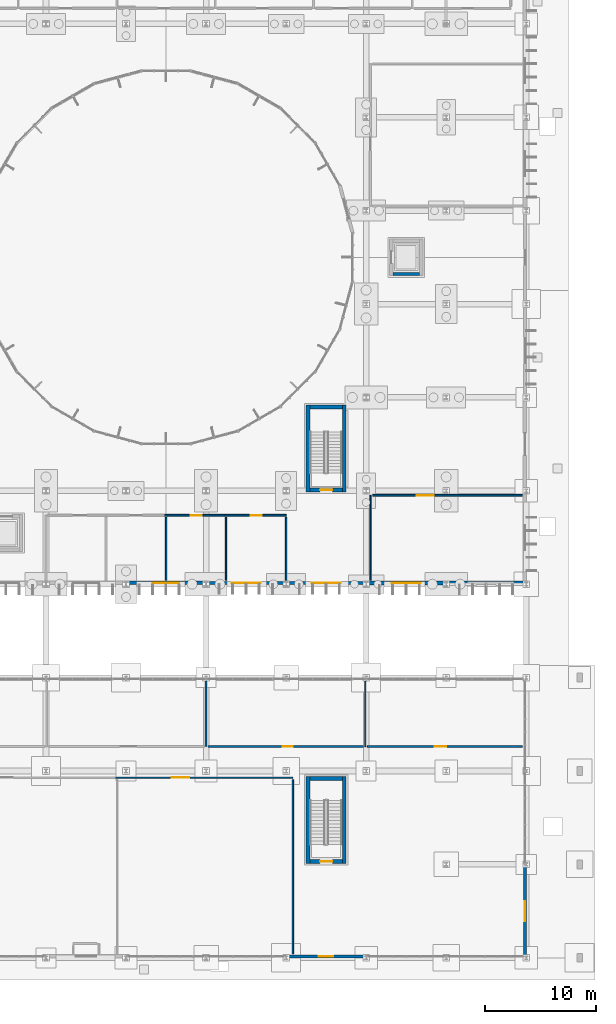
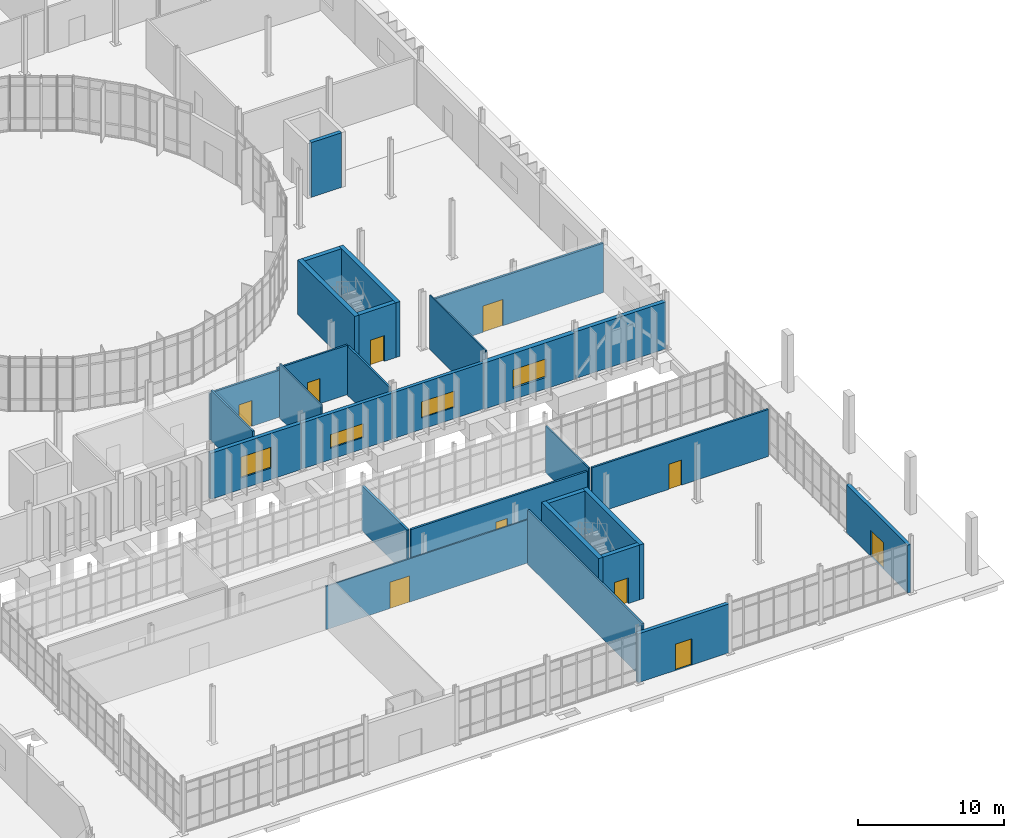
# One storey, part 98 of 118: 29 walls, 10 doors, 4 windows, 14 openings.
"""IFC4 building model written with IfcOpenShell, lengths in metres."""

from ifc_helpers import new_model, si_unit, direction, frame, frame_2d, origin, place, context, subcontext, project, spatial, rectangle, extrude, material, layer, layer_set, type_object, element, fill, save


model = new_model("IFC4")

# Units and contexts
model_context = context("Model", 3, precision=1e-05, world=origin(), true_north=direction((0.0, 1.0)))
body_context = subcontext(model_context, "Body", "Model", "MODEL_VIEW")
ifc_project = project(units=[si_unit("LENGTHUNIT", "METRE"), si_unit("AREAUNIT", "SQUARE_METRE"), si_unit("VOLUMEUNIT", "CUBIC_METRE"), si_unit("PLANEANGLEUNIT", "RADIAN"), si_unit("MASSUNIT", "GRAM", prefix="KILO")], contexts=[model_context])

# Site, building, storey
site_placement = place(None, origin())
site = spatial("IfcSite", under=ifc_project, at=site_placement, CompositionType="ELEMENT")
building_placement = place(site_placement, origin())
building = spatial("IfcBuilding", under=site, at=building_placement, Name="Qelthora Terrace Specialist Clinic", CompositionType="ELEMENT")
storey_placement = place(building_placement, origin())
storey = spatial("IfcBuildingStorey", under=building, at=storey_placement, Name="L00", CompositionType="ELEMENT", Elevation=0.0)

# Walls
ifc_material_1 = material(Name="Concrete C40/50", Category="concrete")
ifc_layer_1 = layer(ifc_material_1, 0.300048828125)
ifc_layer_set_1 = layer_set([ifc_layer_1], Name="Concrete C40/50")
wall_type_1 = type_object("IfcWallType", Name="WAL-CORE-300-C40", PredefinedType="SHEAR", material=ifc_layer_set_1)
wall_1_placement = place(storey_placement, frame((146.39990234375, 61.5, 0.0), z_axis=(0.0, 0.0, 1.0), x_axis=(1.0, 0.0, 0.0)))
element("IfcWall", 1, at=wall_1_placement, inside=storey, type_object=wall_type_1, Name="Lift PL-02 L00 south shaft wall", PredefinedType="SHEAR", context=body_context, shape_type="SweptSolid", body=[
    extrude(rectangle(XDim=2.400146484375, YDim=0.300048828125, at=frame_2d((1.2001953125, 0.0))), origin(), (0.0, 0.0, 1.0), 4.580078125),
])
ifc_layer_2 = layer(ifc_material_1, 0.35009765625)
ifc_layer_set_2 = layer_set([ifc_layer_2], Name="Concrete C40/50")
wall_type_2 = type_object("IfcWallType", Name="WAL-CORE-350-C40", PredefinedType="SHEAR", material=ifc_layer_set_2)
for number, where, z_axis, x_axis, name in (
    (2, (138.77490234375, 41.89990234375, 0.0), (0.0, 0.0, 1.0), (0.0, 1.0, 0.0), "ST-06 L00 west shear core wall"),
    (3, (142.02490234375, 41.89990234375, 0.0), (0.0, 0.0, 1.0), (0.0, 1.0, 0.0), "ST-06 L00 east shear core wall"),
):
    element("IfcWall", number, at=place(storey_placement, frame(where, z_axis=z_axis, x_axis=x_axis)), inside=storey, type_object=wall_type_2, Name=name, PredefinedType="SHEAR", context=body_context, shape_type="SweptSolid", body=[
        extrude(rectangle(XDim=7.800048828125, YDim=0.35009765625, at=frame_2d((3.89990234375, 0.0))), origin(), (0.0, 0.0, 1.0), 4.580078125),
    ])
wall_2_placement = place(storey_placement, frame((138.949951171875, 49.52490234375, 0.0), z_axis=(0.0, 0.0, 1.0), x_axis=(1.0, 0.0, 0.0)))
element("IfcWall", 4, at=wall_2_placement, inside=storey, type_object=wall_type_2, Name="ST-06 L00 north shear core wall", PredefinedType="SHEAR", context=body_context, shape_type="SweptSolid", body=[
    extrude(rectangle(XDim=2.900146484375, YDim=0.35009765625, at=frame_2d((1.4501953125, 0.0))), origin(), (0.0, 0.0, 1.0), 4.580078125),
])

# Wall, opening, door
wall_3_placement = place(storey_placement, frame((138.949951171875, 42.074951171875, 0.0), z_axis=(0.0, 0.0, 1.0), x_axis=(1.0, 0.0, 0.0)))
wall_3 = element("IfcWall", 5, at=wall_3_placement, inside=storey, type_object=wall_type_2, Name="ST-06 L00 south shear core wall", PredefinedType="SHEAR", context=body_context, shape_type="SweptSolid", body=[
    extrude(rectangle(XDim=2.900146484375, YDim=0.35009765625, at=frame_2d((1.4501953125, 0.0))), origin(), (0.0, 0.0, 1.0), 4.580078125),
])
opening_1_placement = place(wall_3_placement, frame((0.89990234375, 0.0, 0.0)))
opening_1 = element("IfcOpeningElement", 6, at=opening_1_placement, cuts=wall_3, Name="Opening D-ST-06-L00", PredefinedType="OPENING", context=body_context, shape_type="SweptSolid", body=[
    extrude(rectangle(XDim=1.10009765625, YDim=2.14990234375, at=frame_2d((0.550048828125, 1.074951171875))), frame((0.0, 0.18505859375, 0.0), z_axis=(0.0, -1.0, 0.0), x_axis=(1.0, 0.0, 0.0)), (0.0, 0.0, 1.0), 0.3701171875),
])
ifc_material_2 = material(Name="Steel S355", Category="steel")
door_type_1 = type_object("IfcDoorType", Name="DOR-STAIR-1100X2150", OperationType="NOTDEFINED", PredefinedType="DOOR", material=ifc_material_2)
door_1_placement = place(opening_1_placement, frame((1.10009765625, 0.0, 0.0), z_axis=(0.0, 0.0, 1.0), x_axis=(-1.0, 0.0, 0.0)))
door_1 = element("IfcDoor", 7, at=door_1_placement, inside=storey, type_object=door_type_1, Name="Stair fire door D-ST-06-L00", OperationType="SINGLE_SWING_LEFT", OverallHeight=2.14990234375, OverallWidth=1.10009765625, PredefinedType="DOOR", context=body_context, shape_type="SweptSolid", body=[
    extrude(rectangle(XDim=1.10009765625, YDim=2.14990234375, at=frame_2d((0.550048828125, 1.074951171875))), frame((0.0, 0.02490234375, 0.0), z_axis=(0.0, -1.0, 0.0), x_axis=(1.0, 0.0, 0.0)), (0.0, 0.0, 1.0), 0.050048828125),
])
fill(opening_1, door_1)

# Walls
for number, where, z_axis, x_axis, name in (
    (8, (138.77490234375, 8.5, 0.0), (0.0, 0.0, 1.0), (0.0, 1.0, 0.0), "ST-08 L00 west shear core wall"),
    (9, (142.02490234375, 8.5, 0.0), (0.0, 0.0, 1.0), (0.0, 1.0, 0.0), "ST-08 L00 east shear core wall"),
):
    element("IfcWall", number, at=place(storey_placement, frame(where, z_axis=z_axis, x_axis=x_axis)), inside=storey, type_object=wall_type_2, Name=name, PredefinedType="SHEAR", context=body_context, shape_type="SweptSolid", body=[
        extrude(rectangle(XDim=7.800048828125, YDim=0.35009765625, at=frame_2d((3.89990234375, 0.0))), origin(), (0.0, 0.0, 1.0), 4.580078125),
    ])
wall_4_placement = place(storey_placement, frame((138.949951171875, 16.125, 0.0), z_axis=(0.0, 0.0, 1.0), x_axis=(1.0, 0.0, 0.0)))
element("IfcWall", 10, at=wall_4_placement, inside=storey, type_object=wall_type_2, Name="ST-08 L00 north shear core wall", PredefinedType="SHEAR", context=body_context, shape_type="SweptSolid", body=[
    extrude(rectangle(XDim=2.900146484375, YDim=0.35009765625, at=frame_2d((1.4501953125, 0.0))), origin(), (0.0, 0.0, 1.0), 4.580078125),
])

# Wall, opening, door
wall_5_placement = place(storey_placement, frame((138.949951171875, 8.675048828125, 0.0), z_axis=(0.0, 0.0, 1.0), x_axis=(1.0, 0.0, 0.0)))
wall_5 = element("IfcWall", 11, at=wall_5_placement, inside=storey, type_object=wall_type_2, Name="ST-08 L00 south shear core wall", PredefinedType="SHEAR", context=body_context, shape_type="SweptSolid", body=[
    extrude(rectangle(XDim=2.900146484375, YDim=0.35009765625, at=frame_2d((1.4501953125, 0.0))), origin(), (0.0, 0.0, 1.0), 4.580078125),
])
opening_2_placement = place(wall_5_placement, frame((0.89990234375, 0.0, 0.0)))
opening_2 = element("IfcOpeningElement", 12, at=opening_2_placement, cuts=wall_5, Name="Opening D-ST-08-L00", PredefinedType="OPENING", context=body_context, shape_type="SweptSolid", body=[
    extrude(rectangle(XDim=1.10009765625, YDim=2.14990234375, at=frame_2d((0.550048828125, 1.074951171875))), frame((0.0, 0.18505859375, 0.0), z_axis=(0.0, -1.0, 0.0), x_axis=(1.0, 0.0, 0.0)), (0.0, 0.0, 1.0), 0.3701171875),
])
door_2_placement = place(opening_2_placement, frame((1.10009765625, 0.0, 0.0), z_axis=(0.0, 0.0, 1.0), x_axis=(-1.0, 0.0, 0.0)))
door_2 = element("IfcDoor", 13, at=door_2_placement, inside=storey, type_object=door_type_1, Name="Stair fire door D-ST-08-L00", OperationType="SINGLE_SWING_RIGHT", OverallHeight=2.14990234375, OverallWidth=1.10009765625, PredefinedType="DOOR", context=body_context, shape_type="SweptSolid", body=[
    extrude(rectangle(XDim=1.10009765625, YDim=2.14990234375, at=frame_2d((0.550048828125, 1.074951171875))), frame((0.0, 0.02490234375, 0.0), z_axis=(0.0, -1.0, 0.0), x_axis=(1.0, 0.0, 0.0)), (0.0, 0.0, 1.0), 0.050048828125),
])
fill(opening_2, door_2)

# Wall, opening, window
ifc_material_3 = material(Name="Precast concrete C40/50", Category="concrete")
ifc_layer_3 = layer(ifc_material_3, 0.260009765625)
ifc_layer_set_3 = layer_set([ifc_layer_3], Name="Precast concrete C40/50")
wall_type_3 = type_object("IfcWallType", Name="WAL-EXT-260-PC40", PredefinedType="SOLIDWALL", material=ifc_layer_set_3)
wall_6_placement = place(storey_placement, frame((136.800048828125, 33.719970703125, 0.0), z_axis=(0.0, 0.0, 1.0), x_axis=(1.0, 0.0, 0.0)))
wall_6 = element("IfcWall", 14, at=wall_6_placement, inside=storey, type_object=wall_type_3, Name="L00 external precast wall 54", PredefinedType="SOLIDWALL", context=body_context, shape_type="SweptSolid", body=[
    extrude(rectangle(XDim=7.199951171875, YDim=0.260009765625, at=frame_2d((3.60009765625, 0.0))), origin(), (0.0, 0.0, 1.0), 3.84912109375),
])
opening_3_placement = place(wall_6_placement, frame((2.300048828125, 0.0, 0.949951171875)))
opening_3 = element("IfcOpeningElement", 15, at=opening_3_placement, cuts=wall_6, Name="Opening WN-L00-042", PredefinedType="OPENING", context=body_context, shape_type="SweptSolid", body=[
    extrude(rectangle(XDim=2.60009765625, YDim=1.35009765625, at=frame_2d((1.300048828125, 0.675048828125))), frame((0.0, 0.139892578125, 0.0), z_axis=(0.0, -1.0, 0.0), x_axis=(1.0, 0.0, 0.0)), (0.0, 0.0, 1.0), 0.280029296875),
])
ifc_material_4 = material(Name="Low-E triple-silver insulating glass", Category="glass")
window_type_1 = type_object("IfcWindowType", Name="WIN-2600X1350", PartitioningType="DOUBLE_PANEL_VERTICAL", PredefinedType="WINDOW", material=ifc_material_4)
window_1_placement = place(opening_3_placement, origin())
window_1 = element("IfcWindow", 16, at=window_1_placement, inside=storey, type_object=window_type_1, Name="Clinical window WN-L00-042", OverallHeight=1.35009765625, OverallWidth=2.60009765625, PartitioningType="SINGLE_PANEL", PredefinedType="WINDOW", context=body_context, shape_type="SweptSolid", body=[
    extrude(rectangle(XDim=2.60009765625, YDim=1.35009765625, at=frame_2d((1.300048828125, 0.675048828125))), frame((0.0, 0.030029296875, 0.0), z_axis=(0.0, -1.0, 0.0), x_axis=(1.0, 0.0, 0.0)), (0.0, 0.0, 1.0), 0.06005859375),
])
fill(opening_3, window_1)

ifc_layer_4 = layer(ifc_material_3, 0.280029296875)
ifc_layer_set_4 = layer_set([ifc_layer_4], Name="Precast concrete C40/50")
wall_type_4 = type_object("IfcWallType", Name="WAL-EXT-280-PC40", PredefinedType="SOLIDWALL", material=ifc_layer_set_4)
wall_7_placement = place(storey_placement, frame((129.60009765625, 33.719970703125, 0.0), z_axis=(0.0, 0.0, 1.0), x_axis=(1.0, 0.0, 0.0)))
wall_7 = element("IfcWall", 17, at=wall_7_placement, inside=storey, type_object=wall_type_4, Name="L00 external precast wall 53", PredefinedType="SOLIDWALL", context=body_context, shape_type="SweptSolid", body=[
    extrude(rectangle(XDim=7.199951171875, YDim=0.280029296875, at=frame_2d((3.60009765625, 0.0))), origin(), (0.0, 0.0, 1.0), 3.84912109375),
])
opening_4_placement = place(wall_7_placement, frame((2.300048828125, 0.0, 0.949951171875)))
opening_4 = element("IfcOpeningElement", 18, at=opening_4_placement, cuts=wall_7, Name="Opening WN-L00-041", PredefinedType="OPENING", context=body_context, shape_type="SweptSolid", body=[
    extrude(rectangle(XDim=2.60009765625, YDim=1.14990234375, at=frame_2d((1.300048828125, 0.574951171875))), frame((0.0, 0.14990234375, 0.0), z_axis=(0.0, -1.0, 0.0), x_axis=(1.0, 0.0, 0.0)), (0.0, 0.0, 1.0), 0.300048828125),
])
window_type_2 = type_object("IfcWindowType", Name="WIN-2600X1150", PartitioningType="DOUBLE_PANEL_VERTICAL", PredefinedType="WINDOW", material=ifc_material_4)
window_2_placement = place(opening_4_placement, origin())
window_2 = element("IfcWindow", 19, at=window_2_placement, inside=storey, type_object=window_type_2, Name="Clinical window WN-L00-041", OverallHeight=1.14990234375, OverallWidth=2.60009765625, PartitioningType="SINGLE_PANEL", PredefinedType="WINDOW", context=body_context, shape_type="SweptSolid", body=[
    extrude(rectangle(XDim=2.60009765625, YDim=1.14990234375, at=frame_2d((1.300048828125, 0.574951171875))), frame((0.0, 0.030029296875, 0.0), z_axis=(0.0, -1.0, 0.0), x_axis=(1.0, 0.0, 0.0)), (0.0, 0.0, 1.0), 0.06005859375),
])
fill(opening_4, window_2)

# Wall, opening, door
wall_8_placement = place(storey_placement, frame((158.280029296875, 0.0, 0.0), z_axis=(0.0, 0.0, 1.0), x_axis=(0.0, 1.0, 0.0)))
wall_8 = element("IfcWall", 20, at=wall_8_placement, inside=storey, type_object=wall_type_4, Name="L00 external precast wall 63", PredefinedType="SOLIDWALL", context=body_context, shape_type="SweptSolid", body=[
    extrude(rectangle(XDim=8.39990234375, YDim=0.280029296875, at=frame_2d((4.199951171875, 0.0))), origin(), (0.0, 0.0, 1.0), 4.0048828125),
])
opening_5_placement = place(wall_8_placement, frame((3.300048828125, 0.0, 0.0)))
opening_5 = element("IfcOpeningElement", 21, at=opening_5_placement, cuts=wall_8, Name="Opening DE-COL-01", PredefinedType="OPENING", context=body_context, shape_type="SweptSolid", body=[
    extrude(rectangle(XDim=1.800048828125, YDim=2.199951171875, at=frame_2d((0.89990234375, 1.10009765625))), frame((0.0, 0.14990234375, 0.0), z_axis=(0.0, -1.0, 0.0), x_axis=(1.0, 0.0, 0.0)), (0.0, 0.0, 1.0), 0.300048828125),
])
door_type_2 = type_object("IfcDoorType", Name="DOR-EXT-1800X2200", OperationType="NOTDEFINED", PredefinedType="DOOR", material=ifc_material_2)
door_3_placement = place(opening_5_placement, frame((1.800048828125, 0.0, 0.0), z_axis=(0.0, 0.0, 1.0), x_axis=(-1.0, 0.0, 0.0)))
door_3 = element("IfcDoor", 22, at=door_3_placement, inside=storey, type_object=door_type_2, Name="Exterior entrance/exit door DE-COL-01", OperationType="DOUBLE_DOOR_SINGLE_SWING", OverallHeight=2.199951171875, OverallWidth=1.800048828125, PredefinedType="DOOR", context=body_context, shape_type="SweptSolid", body=[
    extrude(rectangle(XDim=1.800048828125, YDim=2.199951171875, at=frame_2d((0.89990234375, 1.10009765625))), frame((0.0, 0.02490234375, 0.0), z_axis=(0.0, -1.0, 0.0), x_axis=(1.0, 0.0, 0.0)), (0.0, 0.0, 1.0), 0.050048828125),
])
fill(opening_5, door_3)

# Wall, opening, window
ifc_layer_5 = layer(ifc_material_3, 0.300048828125)
ifc_layer_set_5 = layer_set([ifc_layer_5], Name="Precast concrete C40/50")
wall_type_5 = type_object("IfcWallType", Name="WAL-EXT-300-PC40", PredefinedType="SOLIDWALL", material=ifc_layer_set_5)
wall_9_placement = place(storey_placement, frame((122.39990234375, 33.719970703125, 0.0), z_axis=(0.0, 0.0, 1.0), x_axis=(1.0, 0.0, 0.0)))
wall_9 = element("IfcWall", 23, at=wall_9_placement, inside=storey, type_object=wall_type_5, Name="L00 external precast wall 52", PredefinedType="SOLIDWALL", context=body_context, shape_type="SweptSolid", body=[
    extrude(rectangle(XDim=7.2001953125, YDim=0.300048828125, at=frame_2d((3.60009765625, 0.0))), origin(), (0.0, 0.0, 1.0), 3.84912109375),
])
opening_6_placement = place(wall_9_placement, frame((2.39990234375, 0.0, 0.949951171875)))
opening_6 = element("IfcOpeningElement", 24, at=opening_6_placement, cuts=wall_9, Name="Opening WN-L00-040", PredefinedType="OPENING", context=body_context, shape_type="SweptSolid", body=[
    extrude(rectangle(XDim=2.39990234375, YDim=1.75, at=frame_2d((1.199951171875, 0.875))), frame((0.0, 0.159912109375, 0.0), z_axis=(0.0, -1.0, 0.0), x_axis=(1.0, 0.0, 0.0)), (0.0, 0.0, 1.0), 0.320068359375),
])
window_type_3 = type_object("IfcWindowType", Name="WIN-2400X1750", PartitioningType="DOUBLE_PANEL_VERTICAL", PredefinedType="WINDOW", material=ifc_material_4)
window_3_placement = place(opening_6_placement, origin())
window_3 = element("IfcWindow", 25, at=window_3_placement, inside=storey, type_object=window_type_3, Name="Clinical window WN-L00-040", OverallHeight=1.75, OverallWidth=2.39990234375, PartitioningType="SINGLE_PANEL", PredefinedType="WINDOW", context=body_context, shape_type="SweptSolid", body=[
    extrude(rectangle(XDim=2.39990234375, YDim=1.75, at=frame_2d((1.199951171875, 0.875))), frame((0.0, 0.030029296875, 0.0), z_axis=(0.0, -1.0, 0.0), x_axis=(1.0, 0.0, 0.0)), (0.0, 0.0, 1.0), 0.06005859375),
])
fill(opening_6, window_3)

# Wall, opening, door
wall_10_placement = place(storey_placement, frame((136.800048828125, 0.1201171875, 0.0), z_axis=(0.0, 0.0, 1.0), x_axis=(1.0, 0.0, 0.0)))
wall_10 = element("IfcWall", 26, at=wall_10_placement, inside=storey, type_object=wall_type_5, Name="L00 external precast wall 62", PredefinedType="SOLIDWALL", context=body_context, shape_type="SweptSolid", body=[
    extrude(rectangle(XDim=7.199951171875, YDim=0.300048828125, at=frame_2d((3.60009765625, 0.0))), origin(), (0.0, 0.0, 1.0), 4.08203125),
])
opening_7_placement = place(wall_10_placement, frame((2.949951171875, 0.0, 0.0)))
opening_7 = element("IfcOpeningElement", 27, at=opening_7_placement, cuts=wall_10, Name="Opening DE-ST08-EXIT", PredefinedType="OPENING", context=body_context, shape_type="SweptSolid", body=[
    extrude(rectangle(XDim=1.300048828125, YDim=2.199951171875, at=frame_2d((0.64990234375, 1.10009765625))), frame((0.0, 0.159912109375, 0.0), z_axis=(0.0, -1.0, 0.0), x_axis=(1.0, 0.0, 0.0)), (0.0, 0.0, 1.0), 0.320068359375),
])
door_type_3 = type_object("IfcDoorType", Name="DOR-EXT-1300X2200", OperationType="NOTDEFINED", PredefinedType="DOOR", material=ifc_material_2)
door_4_placement = place(opening_7_placement, frame((1.300048828125, 0.0, 0.0), z_axis=(0.0, 0.0, 1.0), x_axis=(-1.0, 0.0, 0.0)))
door_4 = element("IfcDoor", 28, at=door_4_placement, inside=storey, type_object=door_type_3, Name="Exterior entrance/exit door DE-ST08-EXIT", OperationType="SINGLE_SWING_LEFT", OverallHeight=2.199951171875, OverallWidth=1.300048828125, PredefinedType="DOOR", context=body_context, shape_type="SweptSolid", body=[
    extrude(rectangle(XDim=1.300048828125, YDim=2.199951171875, at=frame_2d((0.64990234375, 1.10009765625))), frame((0.0, 0.02490234375, 0.0), z_axis=(0.0, -1.0, 0.0), x_axis=(1.0, 0.0, 0.0)), (0.0, 0.0, 1.0), 0.050048828125),
])
fill(opening_7, door_4)

# Wall
ifc_layer_6 = layer(ifc_material_3, 0.320068359375)
ifc_layer_set_6 = layer_set([ifc_layer_6], Name="Precast concrete C40/50")
wall_type_6 = type_object("IfcWallType", Name="WAL-EXT-320-PC40", PredefinedType="SOLIDWALL", material=ifc_layer_set_6)
wall_11_placement = place(storey_placement, frame((151.199951171875, 33.719970703125, 0.0), z_axis=(0.0, 0.0, 1.0), x_axis=(1.0, 0.0, 0.0)))
element("IfcWall", 29, at=wall_11_placement, inside=storey, type_object=wall_type_6, Name="L00 external precast wall 56", PredefinedType="SOLIDWALL", context=body_context, shape_type="SweptSolid", body=[
    extrude(rectangle(XDim=7.199951171875, YDim=0.320068359375, at=frame_2d((3.60009765625, 0.0))), origin(), (0.0, 0.0, 1.0), 3.925048828125),
])

# Wall, opening, window
ifc_layer_7 = layer(ifc_material_3, 0.3798828125)
ifc_layer_set_7 = layer_set([ifc_layer_7], Name="Precast concrete C40/50")
wall_type_7 = type_object("IfcWallType", Name="WAL-EXT-380-PC40", PredefinedType="SOLIDWALL", material=ifc_layer_set_7)
wall_12_placement = place(storey_placement, frame((144.0, 33.719970703125, 0.0), z_axis=(0.0, 0.0, 1.0), x_axis=(1.0, 0.0, 0.0)))
wall_12 = element("IfcWall", 30, at=wall_12_placement, inside=storey, type_object=wall_type_7, Name="L00 external precast wall 55", PredefinedType="SOLIDWALL", context=body_context, shape_type="SweptSolid", body=[
    extrude(rectangle(XDim=7.199951171875, YDim=0.3798828125, at=frame_2d((3.60009765625, 0.0))), origin(), (0.0, 0.0, 1.0), 3.85400390625),
])
opening_8_placement = place(wall_12_placement, frame((2.300048828125, 0.0, 0.949951171875)))
opening_8 = element("IfcOpeningElement", 31, at=opening_8_placement, cuts=wall_12, Name="Opening WN-L00-043", PredefinedType="OPENING", context=body_context, shape_type="SweptSolid", body=[
    extrude(rectangle(XDim=2.60009765625, YDim=1.550048828125, at=frame_2d((1.300048828125, 0.77490234375))), frame((0.0, 0.199951171875, 0.0), z_axis=(0.0, -1.0, 0.0), x_axis=(1.0, 0.0, 0.0)), (0.0, 0.0, 1.0), 0.39990234375),
])
window_type_4 = type_object("IfcWindowType", Name="WIN-2600X1550", PartitioningType="DOUBLE_PANEL_VERTICAL", PredefinedType="WINDOW", material=ifc_material_4)
window_4_placement = place(opening_8_placement, origin())
window_4 = element("IfcWindow", 32, at=window_4_placement, inside=storey, type_object=window_type_4, Name="Clinical window WN-L00-043", OverallHeight=1.550048828125, OverallWidth=2.60009765625, PartitioningType="SINGLE_PANEL", PredefinedType="WINDOW", context=body_context, shape_type="SweptSolid", body=[
    extrude(rectangle(XDim=2.60009765625, YDim=1.550048828125, at=frame_2d((1.300048828125, 0.77490234375))), frame((0.0, 0.030029296875, 0.0), z_axis=(0.0, -1.0, 0.0), x_axis=(1.0, 0.0, 0.0)), (0.0, 0.0, 1.0), 0.06005859375),
])
fill(opening_8, window_4)

# Walls
ifc_material_5 = material(Name="Gypsum acoustic wallboard", Category="gypsum")
ifc_layer_8 = layer(ifc_material_5, 0.139892578125)
ifc_layer_set_8 = layer_set([ifc_layer_8], Name="Gypsum acoustic wallboard")
wall_type_8 = type_object("IfcWallType", Name="WAL-INT-ACU-140", PredefinedType="PARTITIONING", material=ifc_layer_set_8)
wall_13_placement = place(storey_placement, frame((137.39990234375, 16.02001953125, 0.0), z_axis=(0.0, 0.0, 1.0), x_axis=(0.0, -1.0, 0.0)))
element("IfcWall", 33, at=wall_13_placement, inside=storey, type_object=wall_type_8, Name="Interior clinical partition IWAL-L00-0075", PredefinedType="PARTITIONING", context=body_context, shape_type="SweptSolid", body=[
    extrude(rectangle(XDim=15.679931640625, YDim=0.139892578125, at=frame_2d((7.83984375, 0.0))), origin(), (0.0, 0.0, 1.0), 4.544921875),
])
wall_14_placement = place(storey_placement, frame((126.0, 39.6201171875, 0.0), z_axis=(0.0, 0.0, 1.0), x_axis=(0.0, -1.0, 0.0)))
element("IfcWall", 34, at=wall_14_placement, inside=storey, type_object=wall_type_8, Name="Interior clinical partition IWAL-L00-0089", PredefinedType="PARTITIONING", context=body_context, shape_type="SweptSolid", body=[
    extrude(rectangle(XDim=5.68017578125, YDim=0.139892578125, at=frame_2d((2.840087890625, 0.0))), origin(), (0.0, 0.0, 1.0), 4.23193359375),
])
ifc_material_6 = material(Name="Gypsum fire-rated wallboard", Category="gypsum")
ifc_layer_9 = layer(ifc_material_6, 0.179931640625)
ifc_layer_set_9 = layer_set([ifc_layer_9], Name="Gypsum fire-rated wallboard")
wall_type_9 = type_object("IfcWallType", Name="WAL-INT-CLN-180", PredefinedType="PARTITIONING", material=ifc_layer_set_9)
wall_15_placement = place(storey_placement, frame((129.60009765625, 25.18994140625, 0.0), z_axis=(0.0, 0.0, 1.0), x_axis=(0.0, -1.0, 0.0)))
element("IfcWall", 35, at=wall_15_placement, inside=storey, type_object=wall_type_9, Name="Interior clinical partition IWAL-L00-0078", PredefinedType="PARTITIONING", context=body_context, shape_type="SweptSolid", body=[
    extrude(rectangle(XDim=6.18994140625, YDim=0.179931640625, at=frame_2d((3.094970703125, 0.0))), origin(), (0.0, 0.0, 1.0), 3.77490234375),
])

# Wall, opening, door
ifc_layer_10 = layer(ifc_material_6, 0.159912109375)
ifc_layer_set_10 = layer_set([ifc_layer_10], Name="Gypsum fire-rated wallboard")
wall_type_10 = type_object("IfcWallType", Name="WAL-INT-COR-160", PredefinedType="PARTITIONING", material=ifc_layer_set_10)
wall_16_placement = place(storey_placement, frame((143.7451171875, 19.0, 0.0), z_axis=(0.0, 0.0, 1.0), x_axis=(-1.0, 0.0, 0.0)))
wall_16 = element("IfcWall", 36, at=wall_16_placement, inside=storey, type_object=wall_type_10, Name="Interior clinical partition IWAL-L00-0081", PredefinedType="PARTITIONING", context=body_context, shape_type="SweptSolid", body=[
    extrude(rectangle(XDim=13.965087890625, YDim=0.159912109375, at=frame_2d((6.982421875, 0.0))), origin(), (0.0, 0.0, 1.0), 3.77490234375),
])
opening_9_placement = place(wall_16_placement, frame((6.33251953125, 0.0, 0.0)))
opening_9 = element("IfcOpeningElement", 37, at=opening_9_placement, cuts=wall_16, Name="Opening DI-L00-0031", PredefinedType="OPENING", context=body_context, shape_type="SweptSolid", body=[
    extrude(rectangle(XDim=0.89990234375, YDim=2.0400390625, at=frame_2d((0.449951171875, 1.02001953125))), frame((0.0, 0.08984375, 0.0), z_axis=(0.0, -1.0, 0.0), x_axis=(1.0, 0.0, 0.0)), (0.0, 0.0, 1.0), 0.179931640625),
])
ifc_material_7 = material(Name="Glulam timber GL28h", Category="wood")
door_type_4 = type_object("IfcDoorType", Name="DOR-ENS-900X2040", OperationType="NOTDEFINED", PredefinedType="DOOR", material=ifc_material_7)
door_5_placement = place(opening_9_placement, frame((0.89990234375, 0.0, 0.0), z_axis=(0.0, 0.0, 1.0), x_axis=(-1.0, 0.0, 0.0)))
door_5 = element("IfcDoor", 38, at=door_5_placement, inside=storey, type_object=door_type_4, Name="Interior clinical door DI-L00-0031", OperationType="SINGLE_SWING_RIGHT", OverallHeight=2.0400390625, OverallWidth=0.89990234375, PredefinedType="DOOR", context=body_context, shape_type="SweptSolid", body=[
    extrude(rectangle(XDim=0.89990234375, YDim=2.0400390625, at=frame_2d((0.449951171875, 1.02001953125))), frame((0.0, 0.02490234375, 0.0), z_axis=(0.0, -1.0, 0.0), x_axis=(1.0, 0.0, 0.0)), (0.0, 0.0, 1.0), 0.050048828125),
])
fill(opening_9, door_5)

wall_17_placement = place(storey_placement, frame((144.580078125, 41.60009765625, 0.0), z_axis=(0.0, 0.0, 1.0), x_axis=(1.0, 0.0, 0.0)))
wall_17 = element("IfcWall", 39, at=wall_17_placement, inside=storey, type_object=wall_type_10, Name="Interior clinical partition IWAL-L00-0084", PredefinedType="PARTITIONING", context=body_context, shape_type="SweptSolid", body=[
    extrude(rectangle(XDim=13.47998046875, YDim=0.159912109375, at=frame_2d((6.739990234375, 0.0))), origin(), (0.0, 0.0, 1.0), 4.132080078125),
])
opening_10_placement = place(wall_17_placement, frame((3.965087890625, 0.0, 0.0)))
opening_10 = element("IfcOpeningElement", 40, at=opening_10_placement, cuts=wall_17, Name="Opening DI-L00-0033", PredefinedType="OPENING", context=body_context, shape_type="SweptSolid", body=[
    extrude(rectangle(XDim=1.550048828125, YDim=2.199951171875, at=frame_2d((0.77490234375, 1.10009765625))), frame((0.0, 0.08984375, 0.0), z_axis=(0.0, -1.0, 0.0), x_axis=(1.0, 0.0, 0.0)), (0.0, 0.0, 1.0), 0.179931640625),
])
ifc_material_8 = material(Name="Aluminium anodized bronze", Category="aluminium")
door_type_5 = type_object("IfcDoorType", Name="DOR-LIB-1550X2200", OperationType="NOTDEFINED", PredefinedType="DOOR", material=ifc_material_8)
door_6_placement = place(opening_10_placement, frame((1.550048828125, 0.0, 0.0), z_axis=(0.0, 0.0, 1.0), x_axis=(-1.0, 0.0, 0.0)))
door_6 = element("IfcDoor", 41, at=door_6_placement, inside=storey, type_object=door_type_5, Name="Interior clinical door DI-L00-0033", OperationType="DOUBLE_DOOR_SINGLE_SWING", OverallHeight=2.199951171875, OverallWidth=1.550048828125, PredefinedType="DOOR", context=body_context, shape_type="SweptSolid", body=[
    extrude(rectangle(XDim=1.550048828125, YDim=2.199951171875, at=frame_2d((0.77490234375, 1.10009765625))), frame((0.0, 0.02490234375, 0.0), z_axis=(0.0, -1.0, 0.0), x_axis=(1.0, 0.0, 0.0)), (0.0, 0.0, 1.0), 0.050048828125),
])
fill(opening_10, door_6)

wall_18_placement = place(storey_placement, frame((125.864990234375, 39.800048828125, 0.0), z_axis=(0.0, 0.0, 1.0), x_axis=(1.0, 0.0, 0.0)))
wall_18 = element("IfcWall", 42, at=wall_18_placement, inside=storey, type_object=wall_type_10, Name="Interior clinical partition IWAL-L00-0090", PredefinedType="PARTITIONING", context=body_context, shape_type="SweptSolid", body=[
    extrude(rectangle(XDim=5.534912109375, YDim=0.159912109375, at=frame_2d((2.767578125, 0.0))), origin(), (0.0, 0.0, 1.0), 3.927978515625),
])
opening_11_placement = place(wall_18_placement, frame((2.33740234375, 0.0, 0.0)))
opening_11 = element("IfcOpeningElement", 43, at=opening_11_placement, cuts=wall_18, Name="Opening DI-L00-0036", PredefinedType="OPENING", context=body_context, shape_type="SweptSolid", body=[
    extrude(rectangle(XDim=1.0, YDim=2.14990234375, at=frame_2d((0.5, 1.074951171875))), frame((0.0, 0.08984375, 0.0), z_axis=(0.0, -1.0, 0.0), x_axis=(1.0, 0.0, 0.0)), (0.0, 0.0, 1.0), 0.179931640625),
])
door_type_6 = type_object("IfcDoorType", Name="DOR-CON-1000X2150", OperationType="NOTDEFINED", PredefinedType="DOOR", material=ifc_material_7)
door_7_placement = place(opening_11_placement, frame((1.0, 0.0, 0.0), z_axis=(0.0, 0.0, 1.0), x_axis=(-1.0, 0.0, 0.0)))
door_7 = element("IfcDoor", 44, at=door_7_placement, inside=storey, type_object=door_type_6, Name="Interior clinical door DI-L00-0036", OperationType="SINGLE_SWING_LEFT", OverallHeight=2.14990234375, OverallWidth=1.0, PredefinedType="DOOR", context=body_context, shape_type="SweptSolid", body=[
    extrude(rectangle(XDim=1.0, YDim=2.14990234375, at=frame_2d((0.5, 1.074951171875))), frame((0.0, 0.02490234375, 0.0), z_axis=(0.0, -1.0, 0.0), x_axis=(1.0, 0.0, 0.0)), (0.0, 0.0, 1.0), 0.050048828125),
])
fill(opening_11, door_7)

ifc_layer_11 = layer(ifc_material_4, 0.110107421875)
ifc_layer_set_11 = layer_set([ifc_layer_11], Name="Low-E triple-silver insulating glass")
wall_type_11 = type_object("IfcWallType", Name="WAL-INT-GLA-110", PredefinedType="MOVABLE", material=ifc_layer_set_11)
wall_19_placement = place(storey_placement, frame((121.465087890625, 16.199951171875, 0.0), z_axis=(0.0, 0.0, 1.0), x_axis=(1.0, 0.0, 0.0)))
wall_19 = element("IfcWall", 45, at=wall_19_placement, inside=storey, type_object=wall_type_11, Name="Interior clinical partition IWAL-L00-0074", PredefinedType="MOVABLE", context=body_context, shape_type="SweptSolid", body=[
    extrude(rectangle(XDim=15.934814453125, YDim=0.110107421875, at=frame_2d((7.96728515625, 0.0))), origin(), (0.0, 0.0, 1.0), 3.617919921875),
])
opening_12_placement = place(wall_19_placement, frame((5.0625, 0.0, 0.0)))
opening_12 = element("IfcOpeningElement", 46, at=opening_12_placement, cuts=wall_19, Name="Opening DI-L00-0028", PredefinedType="OPENING", context=body_context, shape_type="SweptSolid", body=[
    extrude(rectangle(XDim=1.550048828125, YDim=2.199951171875, at=frame_2d((0.77490234375, 1.10009765625))), frame((0.0, 0.06494140625, 0.0), z_axis=(0.0, -1.0, 0.0), x_axis=(1.0, 0.0, 0.0)), (0.0, 0.0, 1.0), 0.130126953125),
])
door_8_placement = place(opening_12_placement, frame((1.550048828125, 0.0, 0.0), z_axis=(0.0, 0.0, 1.0), x_axis=(-1.0, 0.0, 0.0)))
door_8 = element("IfcDoor", 47, at=door_8_placement, inside=storey, type_object=door_type_5, Name="Interior clinical door DI-L00-0028", OperationType="DOUBLE_DOOR_SINGLE_SWING", OverallHeight=2.199951171875, OverallWidth=1.550048828125, PredefinedType="DOOR", context=body_context, shape_type="SweptSolid", body=[
    extrude(rectangle(XDim=1.550048828125, YDim=2.199951171875, at=frame_2d((0.77490234375, 1.10009765625))), frame((0.0, 0.02490234375, 0.0), z_axis=(0.0, -1.0, 0.0), x_axis=(1.0, 0.0, 0.0)), (0.0, 0.0, 1.0), 0.050048828125),
])
fill(opening_12, door_8)

# Walls
wall_20_placement = place(storey_placement, frame((143.925048828125, 24.860107421875, 0.0), z_axis=(0.0, 0.0, 1.0), x_axis=(0.0, -1.0, 0.0)))
element("IfcWall", 48, at=wall_20_placement, inside=storey, type_object=wall_type_11, Name="Interior clinical partition IWAL-L00-0080", PredefinedType="MOVABLE", context=body_context, shape_type="SweptSolid", body=[
    extrude(rectangle(XDim=5.860107421875, YDim=0.110107421875, at=frame_2d((2.93017578125, 0.0))), origin(), (0.0, 0.0, 1.0), 3.927978515625),
])
wall_21_placement = place(storey_placement, frame((144.39990234375, 33.93994140625, 0.0), z_axis=(0.0, 0.0, 1.0), x_axis=(0.0, 1.0, 0.0)))
element("IfcWall", 49, at=wall_21_placement, inside=storey, type_object=wall_type_11, Name="Interior clinical partition IWAL-L00-0083", PredefinedType="MOVABLE", context=body_context, shape_type="SweptSolid", body=[
    extrude(rectangle(XDim=7.66015625, YDim=0.110107421875, at=frame_2d((3.830078125, 0.0))), origin(), (0.0, 0.0, 1.0), 4.544921875),
])
ifc_layer_12 = layer(ifc_material_5, 0.1201171875)
ifc_layer_set_12 = layer_set([ifc_layer_12], Name="Gypsum acoustic wallboard")
wall_type_12 = type_object("IfcWallType", Name="WAL-INT-STD-120", PredefinedType="PARTITIONING", material=ifc_layer_set_12)
wall_22_placement = place(storey_placement, frame((131.39990234375, 39.6201171875, 0.0), z_axis=(0.0, 0.0, 1.0), x_axis=(0.0, -1.0, 0.0)))
element("IfcWall", 50, at=wall_22_placement, inside=storey, type_object=wall_type_12, Name="Interior clinical partition IWAL-L00-0091", PredefinedType="PARTITIONING", context=body_context, shape_type="SweptSolid", body=[
    extrude(rectangle(XDim=5.68017578125, YDim=0.1201171875, at=frame_2d((2.840087890625, 0.0))), origin(), (0.0, 0.0, 1.0), 4.544921875),
])

# Wall, opening, door
ifc_material_9 = material(Name="Gypsum moisture-resistant", Category="gypsum")
ifc_layer_13 = layer(ifc_material_9, 0.14990234375)
ifc_layer_set_13 = layer_set([ifc_layer_13], Name="Gypsum moisture-resistant")
wall_type_13 = type_object("IfcWallType", Name="WAL-INT-WET-150", PredefinedType="PLUMBINGWALL", material=ifc_layer_set_13)
wall_23_placement = place(storey_placement, frame((158.06005859375, 19.0, 0.0), z_axis=(0.0, 0.0, 1.0), x_axis=(-1.0, 0.0, 0.0)))
wall_23 = element("IfcWall", 51, at=wall_23_placement, inside=storey, type_object=wall_type_13, Name="Interior clinical partition IWAL-L00-0082", PredefinedType="PLUMBINGWALL", context=body_context, shape_type="SweptSolid", body=[
    extrude(rectangle(XDim=13.955078125, YDim=0.14990234375, at=frame_2d((6.9775390625, 0.0))), origin(), (0.0, 0.0, 1.0), 3.927978515625),
])
opening_13_placement = place(wall_23_placement, frame((6.87744140625, 0.0, 0.0)))
opening_13 = element("IfcOpeningElement", 52, at=opening_13_placement, cuts=wall_23, Name="Opening DI-L00-0032", PredefinedType="OPENING", context=body_context, shape_type="SweptSolid", body=[
    extrude(rectangle(XDim=1.0, YDim=2.10009765625, at=frame_2d((0.5, 1.050048828125))), frame((0.0, 0.0849609375, 0.0), z_axis=(0.0, -1.0, 0.0), x_axis=(1.0, 0.0, 0.0)), (0.0, 0.0, 1.0), 0.169921875),
])
door_type_7 = type_object("IfcDoorType", Name="DOR-AWC-1000X2100", OperationType="NOTDEFINED", PredefinedType="DOOR", material=ifc_material_7)
door_9_placement = place(opening_13_placement, frame((1.0, 0.0, 0.0), z_axis=(0.0, 0.0, 1.0), x_axis=(-1.0, 0.0, 0.0)))
door_9 = element("IfcDoor", 53, at=door_9_placement, inside=storey, type_object=door_type_7, Name="Interior clinical door DI-L00-0032", OperationType="SINGLE_SWING_LEFT", OverallHeight=2.10009765625, OverallWidth=1.0, PredefinedType="DOOR", context=body_context, shape_type="SweptSolid", body=[
    extrude(rectangle(XDim=1.0, YDim=2.10009765625, at=frame_2d((0.5, 1.050048828125))), frame((0.0, 0.02490234375, 0.0), z_axis=(0.0, -1.0, 0.0), x_axis=(1.0, 0.0, 0.0)), (0.0, 0.0, 1.0), 0.050048828125),
])
fill(opening_13, door_9)

wall_24_placement = place(storey_placement, frame((131.264892578125, 39.800048828125, 0.0), z_axis=(0.0, 0.0, 1.0), x_axis=(1.0, 0.0, 0.0)))
wall_24 = element("IfcWall", 54, at=wall_24_placement, inside=storey, type_object=wall_type_13, Name="Interior clinical partition IWAL-L00-0092", PredefinedType="PLUMBINGWALL", context=body_context, shape_type="SweptSolid", body=[
    extrude(rectangle(XDim=5.53515625, YDim=0.14990234375, at=frame_2d((2.767578125, 0.0))), origin(), (0.0, 0.0, 1.0), 4.135009765625),
])
opening_14_placement = place(wall_24_placement, frame((2.33740234375, 0.0, 0.0)))
opening_14 = element("IfcOpeningElement", 55, at=opening_14_placement, cuts=wall_24, Name="Opening DI-L00-0037", PredefinedType="OPENING", context=body_context, shape_type="SweptSolid", body=[
    extrude(rectangle(XDim=1.0, YDim=2.10009765625, at=frame_2d((0.5, 1.050048828125))), frame((0.0, 0.0849609375, 0.0), z_axis=(0.0, -1.0, 0.0), x_axis=(1.0, 0.0, 0.0)), (0.0, 0.0, 1.0), 0.169921875),
])
door_10_placement = place(opening_14_placement, frame((1.0, 0.0, 0.0), z_axis=(0.0, 0.0, 1.0), x_axis=(-1.0, 0.0, 0.0)))
door_10 = element("IfcDoor", 56, at=door_10_placement, inside=storey, type_object=door_type_7, Name="Interior clinical door DI-L00-0037", OperationType="SINGLE_SWING_RIGHT", OverallHeight=2.10009765625, OverallWidth=1.0, PredefinedType="DOOR", context=body_context, shape_type="SweptSolid", body=[
    extrude(rectangle(XDim=1.0, YDim=2.10009765625, at=frame_2d((0.5, 1.050048828125))), frame((0.0, 0.02490234375, 0.0), z_axis=(0.0, -1.0, 0.0), x_axis=(1.0, 0.0, 0.0)), (0.0, 0.0, 1.0), 0.050048828125),
])
fill(opening_14, door_10)

# Wall
wall_25_placement = place(storey_placement, frame((136.800048828125, 39.6201171875, 0.0), z_axis=(0.0, 0.0, 1.0), x_axis=(0.0, -1.0, 0.0)))
element("IfcWall", 57, at=wall_25_placement, inside=storey, type_object=wall_type_13, Name="Interior clinical partition IWAL-L00-0093", PredefinedType="PLUMBINGWALL", context=body_context, shape_type="SweptSolid", body=[
    extrude(rectangle(XDim=5.68017578125, YDim=0.14990234375, at=frame_2d((2.840087890625, 0.0))), origin(), (0.0, 0.0, 1.0), 4.135009765625),
])

save(model, "model.ifc")
